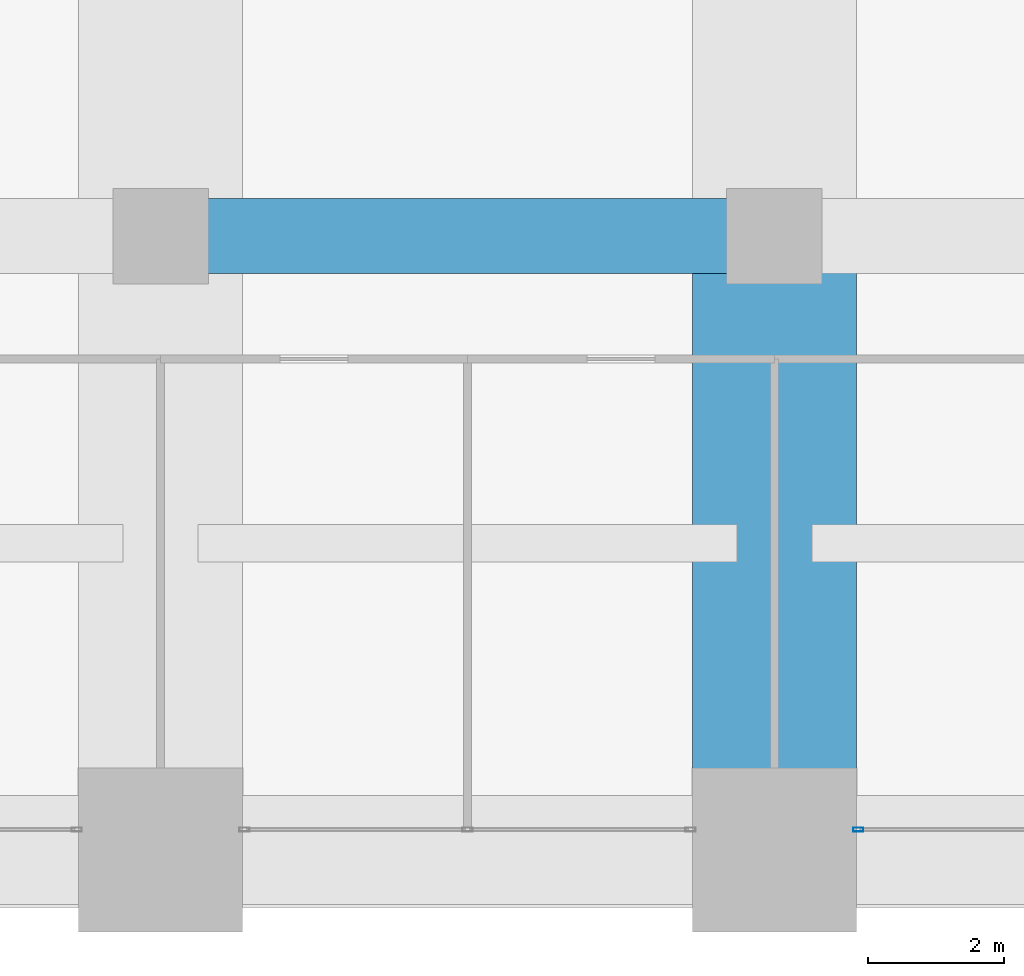
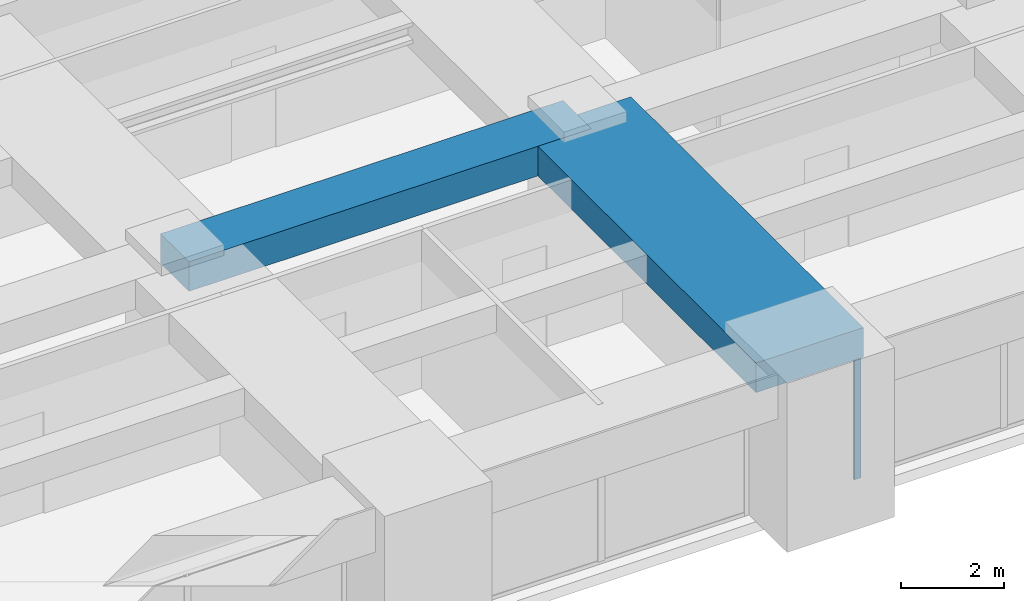
# One storey, part 7 of 35: 2 beams, 1 member, 1 element without a shape of its own.
"""IFC4 building model written with IfcOpenShell, lengths in metres."""

from ifc_helpers import new_model, si_unit, direction, frame, origin, origin_2d, place, context, subcontext, project, spatial, rectangle, hollow_rectangle, extrude, material, material_profile, profile_set, type_object, element, aggregate, save


model = new_model("IFC4")

# Units and contexts
model_context = context("Model", 3, precision=1e-05, world=origin(), true_north=direction((0.0, 1.0)))
body_context = subcontext(model_context, "Body", "Model", "MODEL_VIEW")
ifc_project = project(units=[si_unit("LENGTHUNIT", "METRE"), si_unit("AREAUNIT", "SQUARE_METRE"), si_unit("VOLUMEUNIT", "CUBIC_METRE"), si_unit("PLANEANGLEUNIT", "RADIAN"), si_unit("MASSUNIT", "GRAM", prefix="KILO")], contexts=[model_context])

# Site, building, storey
site_placement = place(None, origin())
site = spatial("IfcSite", under=ifc_project, at=site_placement, CompositionType="ELEMENT")
building_placement = place(site_placement, origin())
building = spatial("IfcBuilding", under=site, at=building_placement, Name="Zorevar Civic Tower", CompositionType="ELEMENT")
storey_placement = place(building_placement, frame((0.0, 0.0, 222.199951171875)))
storey = spatial("IfcBuildingStorey", under=building, at=storey_placement, Name="L54", CompositionType="ELEMENT", Elevation=222.199951171875)

# Beams
ifc_material_1 = material(Name="Concrete C50/60", Category="concrete")
ifc_material_profile_1 = material_profile(ifc_material_1, rectangle(XDim=1.10009765625, YDim=0.699951171875, at=origin_2d()), Name="RC 1100x700")
ifc_profile_set_1 = profile_set([ifc_material_profile_1], Name="Concrete C50/60")
beam_type_1 = type_object("IfcBeamType", Name="Beam RC 1100x700", PredefinedType="BEAM", material=ifc_profile_set_1)
beam_1_placement = place(storey_placement, frame((18.0, 9.0, 3.400146484375), z_axis=(1.0, 0.0, 0.0), x_axis=(0.0, 1.0, 0.0)))
element("IfcBeam", 1, at=beam_1_placement, inside=storey, type_object=beam_type_1, Name="Girder L55", PredefinedType="BEAM", context=body_context, shape_type="SweptSolid", body=[
    extrude(rectangle(XDim=1.10009765625, YDim=0.699951171875, at=origin_2d()), origin(), (0.0, 0.0, 1.0), 9.0),
])
ifc_material_2 = material(Name="Concrete C50/60", Category="concrete")
ifc_material_profile_2 = material_profile(ifc_material_2, rectangle(XDim=2.39990234375, YDim=0.699951171875, at=origin_2d()), Name="RC 2400x700")
ifc_profile_set_2 = profile_set([ifc_material_profile_2], Name="Concrete C50/60")
beam_type_2 = type_object("IfcBeamType", Name="Beam RC 2400x700", PredefinedType="BEAM", material=ifc_profile_set_2)
beam_2_placement = place(storey_placement, frame((27.0, 0.0, 3.400146484375), z_axis=(0.0, 1.0, 0.0), x_axis=(-1.0, 0.0, 0.0)))
element("IfcBeam", 2, at=beam_2_placement, inside=storey, type_object=beam_type_2, Name="Girder L55", PredefinedType="BEAM", context=body_context, shape_type="SweptSolid", body=[
    extrude(rectangle(XDim=2.39990234375, YDim=0.699951171875, at=origin_2d()), origin(), (0.0, 0.0, 1.0), 9.0),
])

# Curtain wall, member
ifc_material_3 = material(Name="Dark grey solar-control glass in black aluminium frame", Category="aluminium")
curtain_wall_type = type_object("IfcCurtainWallType", Name="Curtain wall CW4 high zone", PredefinedType="NOTDEFINED", material=ifc_material_3)
curtain_wall_placement = place(storey_placement, origin())
curtain_wall = element("IfcCurtainWall", 3, at=curtain_wall_placement, inside=storey, type_object=curtain_wall_type, Name="CW4 L54", PredefinedType="NOTDEFINED")
ifc_material_4 = material(Name="Aluminium, black anodised", Category="aluminium")
ifc_material_profile_3 = material_profile(ifc_material_4, hollow_rectangle(XDim=0.06005859375, YDim=0.14990234375, WallThickness=0.00390625, at=origin_2d()), Name="AL 150x60x4")
ifc_profile_set_3 = profile_set([ifc_material_profile_3], Name="Aluminium, black anodised")
member_type = type_object("IfcMemberType", Name="CW4 mullion AL 150x60x4", PredefinedType="MULLION", material=ifc_profile_set_3)
member_placement = place(storey_placement, frame((28.22998046875, 0.300048828125, 0.0), z_axis=(0.0, 0.0, 1.0), x_axis=(0.0, 1.0, 0.0)))
member = element("IfcMember", 4, at=member_placement, type_object=member_type, Name="CW4 mullion 1", PredefinedType="MULLION", context=body_context, shape_type="SweptSolid", body=[
    extrude(hollow_rectangle(XDim=0.06005859375, YDim=0.14990234375, WallThickness=0.00390625, at=origin_2d()), origin(), (0.0, 0.0, 1.0), 2.949951171875),
])
aggregate(curtain_wall, [member])

save(model, "model.ifc")
